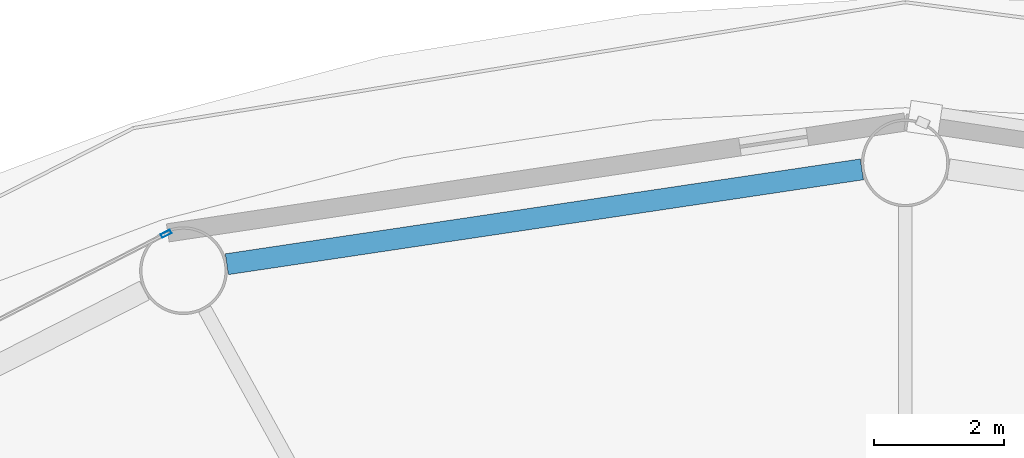
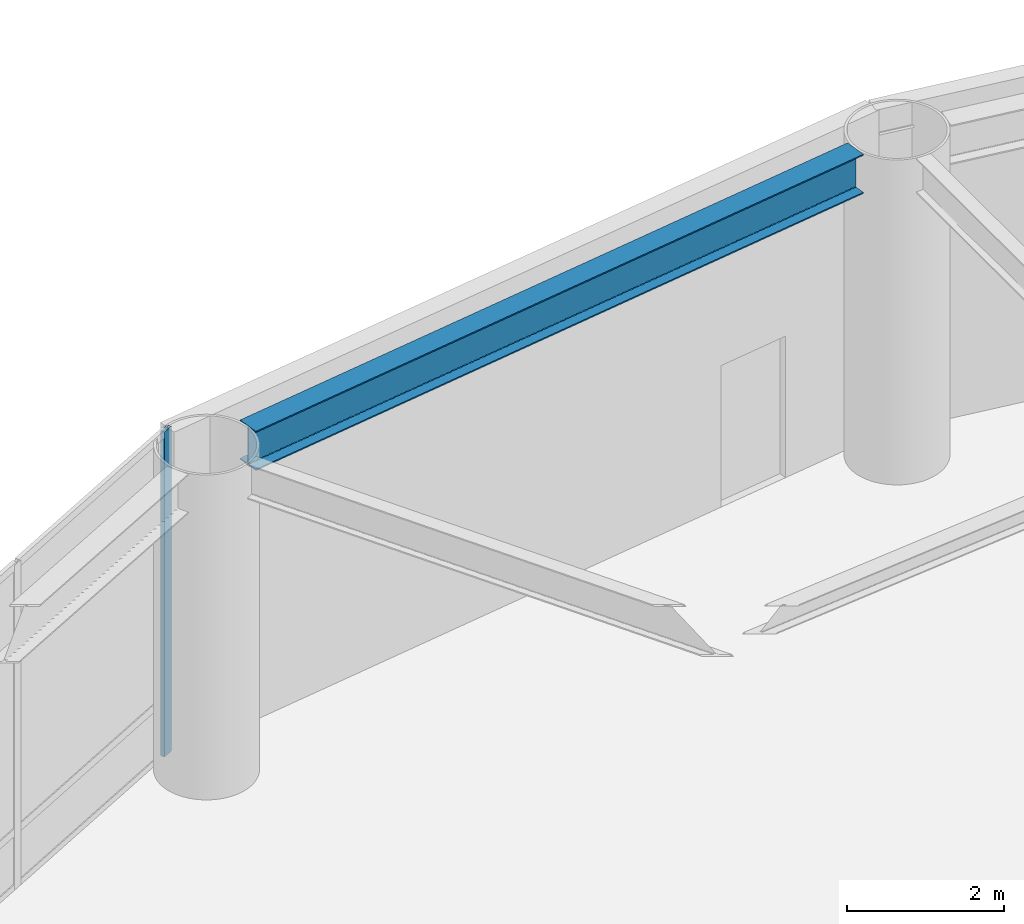
# One storey, part 13 of 25: 1 beam, 1 member, 1 element without a shape of its own.
"""IFC4 building model written with IfcOpenShell, lengths in metres."""

from ifc_helpers import new_model, si_unit, direction, frame, origin, origin_2d, place, context, subcontext, project, spatial, hollow_rectangle, i_section, extrude, material, layer, layer_set, material_profile, profile_set, type_object, element, aggregate, save


model = new_model("IFC4")

# Units and contexts
model_context = context("Model", 3, precision=1e-05, world=origin(), true_north=direction((0.0, 1.0)))
body_context = subcontext(model_context, "Body", "Model", "MODEL_VIEW")
ifc_project = project(units=[si_unit("LENGTHUNIT", "METRE"), si_unit("AREAUNIT", "SQUARE_METRE"), si_unit("VOLUMEUNIT", "CUBIC_METRE"), si_unit("PLANEANGLEUNIT", "RADIAN"), si_unit("MASSUNIT", "GRAM", prefix="KILO")], contexts=[model_context])

# Site, building, storey
site_placement = place(None, origin())
site = spatial("IfcSite", under=ifc_project, at=site_placement, CompositionType="ELEMENT")
building_placement = place(site_placement, origin())
building = spatial("IfcBuilding", under=site, at=building_placement, Name="Sarneth Arch Tower", CompositionType="ELEMENT")
storey_placement = place(building_placement, frame((0.0, 0.0, 134.39990234375)))
storey = spatial("IfcBuildingStorey", under=building, at=storey_placement, Name="L34", CompositionType="ELEMENT", Elevation=134.39990234375)

# Beam
ifc_material_1 = material(Name="Steel S355", Category="steel")
ifc_material_profile_1 = material_profile(ifc_material_1, i_section(OverallWidth=0.323974609375, OverallDepth=0.611083984375, WebThickness=0.0126953125, FlangeThickness=0.01904296875, FilletRadius=0.01904296875, at=origin_2d()), Name="W610x155")
ifc_profile_set_1 = profile_set([ifc_material_profile_1], Name="Steel S355")
beam_type = type_object("IfcBeamType", Name="BM-SPAN-610B", PredefinedType="SPANDREL", material=ifc_profile_set_1)
beam_placement = place(storey_placement, frame((47.33251953125, 63.7001953125, 4.74462890625), z_axis=(-0.989029828744, -0.147715936359, 0.0), x_axis=(0.147715936359, -0.989029828744, 0.0)))
element("IfcBeam", 1, at=beam_placement, inside=storey, type_object=beam_type, Name="L34 Perimeter spandrel beam 05", PredefinedType="SPANDREL", context=body_context, shape_type="SweptSolid", body=[
    extrude(i_section(OverallWidth=0.323974609375, OverallDepth=0.611083984375, WebThickness=0.0126953125, FlangeThickness=0.01904296875, FilletRadius=0.01904296875, at=origin_2d()), origin(), (0.0, 0.0, 1.0), 9.883544921875),
])

# Curtain wall, member
ifc_material_2 = material(Name="Anodised aluminium Type AA25 and solar-control low-e laminated IGU", Category="aluminium")
ifc_layer = layer(ifc_material_2, 0.159912109375)
ifc_layer_set = layer_set([ifc_layer], Name="Anodised aluminium Type AA25 and solar-control low-e laminated IGU")
curtain_wall_type = type_object("IfcCurtainWallType", Name="CW-HOTEL-MID", PredefinedType="NOTDEFINED", material=ifc_layer_set)
curtain_wall_placement = place(storey_placement, origin())
curtain_wall = element("IfcCurtainWall", 2, at=curtain_wall_placement, inside=storey, type_object=curtain_wall_type, Name="L34 Unitised curtain wall facet 06", PredefinedType="NOTDEFINED")
ifc_material_3 = material(Name="Anodised Aluminium 6063-T6", Category="aluminium")
ifc_material_profile_2 = material_profile(ifc_material_3, hollow_rectangle(XDim=0.06005859375, YDim=0.159912109375, WallThickness=0.00390625, at=origin_2d()), Name="AL-MULL-160x60x4")
ifc_profile_set_2 = profile_set([ifc_material_profile_2], Name="Anodised Aluminium 6063-T6")
member_type = type_object("IfcMemberType", Name="CW-MULLION", PredefinedType="MULLION", material=ifc_profile_set_2)
member_placement = place(storey_placement, frame((36.6220703125, 62.708984375, 0.0), z_axis=(0.0, 0.0, 1.0), x_axis=(0.456031365356, -0.889963703649, 0.0)))
member = element("IfcMember", 3, at=member_placement, type_object=member_type, Name="CW-SYS-4 mullion 1", PredefinedType="MULLION", context=body_context, shape_type="SweptSolid", body=[
    extrude(hollow_rectangle(XDim=0.06005859375, YDim=0.159912109375, WallThickness=0.00390625, at=origin_2d()), origin(), (0.0, 0.0, 1.0), 5.050048828125),
])
aggregate(curtain_wall, [member])

save(model, "model.ifc")
